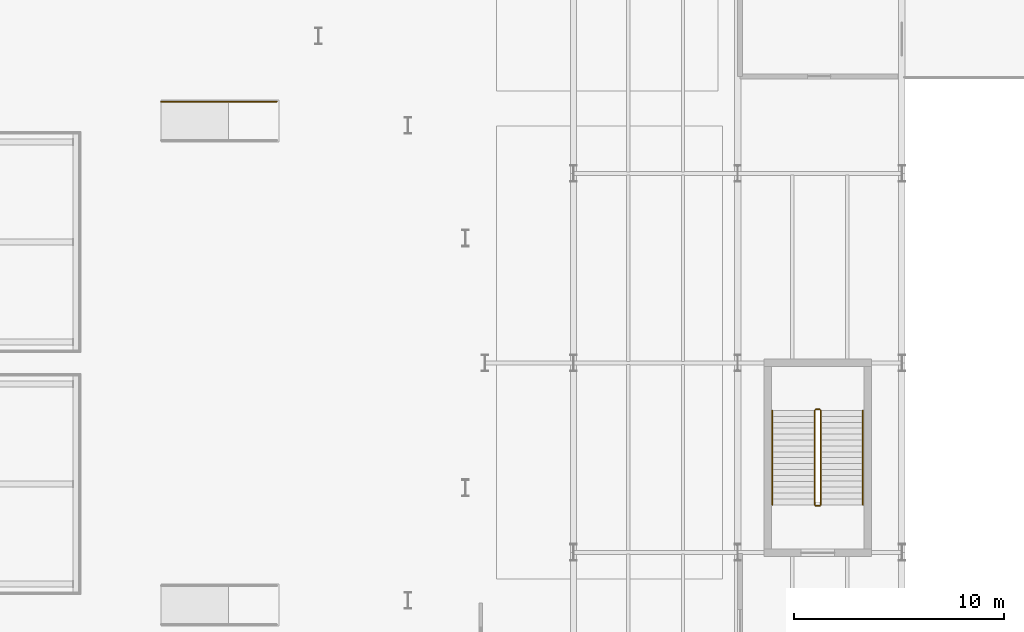
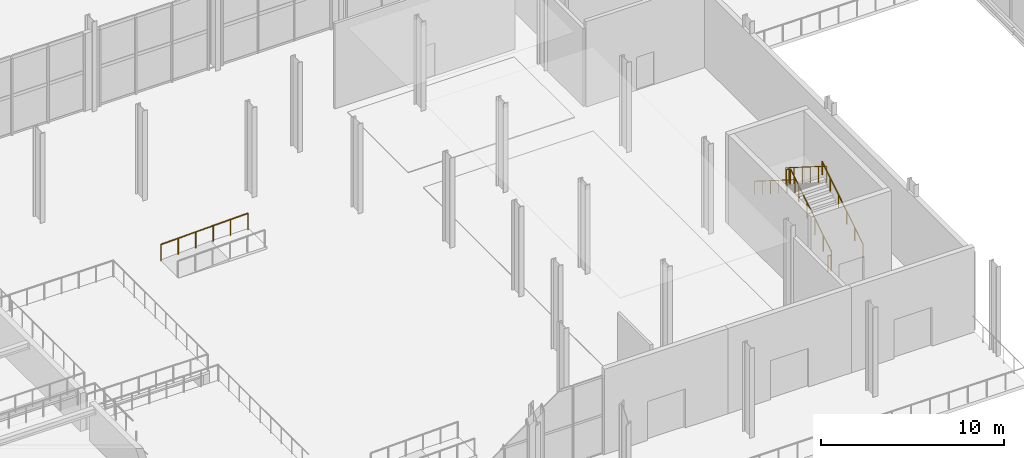
# One storey, part 70 of 84: 7 railings, 1 element without a shape of its own.
"""IFC4 building model written with IfcOpenShell, lengths in metres."""

from ifc_helpers import new_model, si_unit, direction, frame, origin, origin_2d, place, context, subcontext, project, spatial, circle, extrude, material, type_object, element, aggregate, save


model = new_model("IFC4")

# Units and contexts
model_context = context("Model", 3, precision=1e-05, world=origin(), true_north=direction((0.0, 1.0)))
body_context = subcontext(model_context, "Body", "Model", "MODEL_VIEW")
ifc_project = project(units=[si_unit("LENGTHUNIT", "METRE"), si_unit("AREAUNIT", "SQUARE_METRE"), si_unit("VOLUMEUNIT", "CUBIC_METRE"), si_unit("PLANEANGLEUNIT", "RADIAN"), si_unit("MASSUNIT", "GRAM", prefix="KILO")], contexts=[model_context])

# Site, building, storey
site_placement = place(None, origin())
site = spatial("IfcSite", under=ifc_project, at=site_placement, CompositionType="ELEMENT")
building_placement = place(site_placement, origin())
building = spatial("IfcBuilding", under=site, at=building_placement, Name="Sefraquen Railside Congress Hotel", CompositionType="ELEMENT")
storey_placement = place(building_placement, origin())
storey = spatial("IfcBuildingStorey", under=building, at=storey_placement, Name="L00", CompositionType="ELEMENT", Elevation=0.0)

# Ramp, railing
ifc_material_1 = material(Name="Concrete C40/50", Category="concrete")
ramp_type = type_object("IfcRampType", Name="TRP-PED-01", PredefinedType="STRAIGHT_RUN_RAMP", material=ifc_material_1)
ramp_placement = place(storey_placement, origin())
ramp = element("IfcRamp", 1, at=ramp_placement, inside=storey, type_object=ramp_type, Name="Accessible 1:20 interior dais ramp RMP-L00-PED-02", PredefinedType="STRAIGHT_RUN_RAMP")
ifc_material_2 = material(Name="Patinated wrought architectural bronze", Category="metal")
railing_type_1 = type_object("IfcRailingType", Name="TRL-BAL-110", PredefinedType="BALUSTRADE", material=ifc_material_2)
railing_1_placement = place(storey_placement, frame((68.0, 39.419921875, 0.0)))
railing_1 = element("IfcRailing", 2, at=railing_1_placement, type_object=railing_type_1, Name="Accessible ramp guard RMP-L00-PED-02-HR2", PredefinedType="BALUSTRADE", context=body_context, shape_type="SweptSolid", body=[
    extrude(circle(Radius=0.02392578125, at=origin_2d()), frame((0.0, 0.0, 1.09619140625), z_axis=(0.999577592046, 0.0, 0.029062647496), x_axis=(0.0, 1.0, 0.0)), (0.0, 0.0, 1.0), 5.50244140625),
    extrude(circle(Radius=0.02099609375, at=origin_2d()), origin(), (0.0, 0.0, 1.0), 1.072021484375),
    extrude(circle(Radius=0.02099609375, at=origin_2d()), frame((1.10009765625, 0.0, 0.031982421875)), (0.0, 0.0, 1.0), 1.072021484375),
    extrude(circle(Radius=0.02099609375, at=origin_2d()), frame((2.199951171875, 0.0, 0.06396484375)), (0.0, 0.0, 1.0), 1.072021484375),
    extrude(circle(Radius=0.02099609375, at=origin_2d()), frame((3.300048828125, 0.0, 0.095947265625)), (0.0, 0.0, 1.0), 1.072021484375),
    extrude(circle(Radius=0.02099609375, at=origin_2d()), frame((4.39990234375, 0.0, 0.1279296875)), (0.0, 0.0, 1.0), 1.072021484375),
    extrude(circle(Radius=0.02099609375, at=origin_2d()), frame((5.5, 0.0, 0.159912109375)), (0.0, 0.0, 1.0), 1.072021484375),
])
aggregate(ramp, [railing_1])

# Railings
railing_2_placement = place(storey_placement, frame((99.35009765625, 20.260009765625, 0.176513671875)))
element("IfcRailing", 3, at=railing_2_placement, inside=storey, type_object=railing_type_1, Name="L00 ST-C03 stair guard 1", PredefinedType="BALUSTRADE", context=body_context, shape_type="SweptSolid", body=[
    extrude(circle(Radius=0.02392578125, at=origin_2d()), frame((0.0, 0.0, 1.076171875), z_axis=(0.0, 0.845997938375, 0.533186166611), x_axis=(-1.0, 0.0, 0.0)), (0.0, 0.0, 1.0), 5.29541015625),
    extrude(circle(Radius=0.02099609375, at=origin_2d()), origin(), (0.0, 0.0, 1.0), 1.052001953125),
    extrude(circle(Radius=0.02099609375, at=origin_2d()), frame((0.0, 0.89599609375, 0.564697265625)), (0.0, 0.0, 1.0), 1.052001953125),
    extrude(circle(Radius=0.02099609375, at=origin_2d()), frame((0.0, 1.7919921875, 1.12939453125)), (0.0, 0.0, 1.0), 1.052001953125),
    extrude(circle(Radius=0.02099609375, at=origin_2d()), frame((0.0, 2.68798828125, 1.694091796875)), (0.0, 0.0, 1.0), 1.052001953125),
    extrude(circle(Radius=0.02099609375, at=origin_2d()), frame((0.0, 3.583984375, 2.2587890625)), (0.0, 0.0, 1.0), 1.052001953125),
    extrude(circle(Radius=0.02099609375, at=origin_2d()), frame((0.0, 4.47998046875, 2.823486328125)), (0.0, 0.0, 1.0), 1.052001953125),
])
railing_3_placement = place(storey_placement, frame((99.300048828125, 24.7900390625, 3.0)))
element("IfcRailing", 4, at=railing_3_placement, inside=storey, type_object=railing_type_1, Name="L00 ST-C03 stair guard 2", PredefinedType="BALUSTRADE", context=body_context, shape_type="SweptSolid", body=[
    extrude(circle(Radius=0.02392578125, at=origin_2d()), frame((0.0, 0.0, 1.076171875), z_axis=(-1.0, 0.0, 0.0), x_axis=(0.0, -1.0, 0.0)), (0.0, 0.0, 1.0), 0.199951171875),
    extrude(circle(Radius=0.02099609375, at=origin_2d()), origin(), (0.0, 0.0, 1.0), 1.052001953125),
    extrude(circle(Radius=0.02099609375, at=origin_2d()), frame((-0.199951171875, 0.0, 0.0)), (0.0, 0.0, 1.0), 1.052001953125),
])
railing_4_placement = place(storey_placement, frame((99.050048828125, 24.739990234375, 3.176513671875)))
element("IfcRailing", 5, at=railing_4_placement, inside=storey, type_object=railing_type_1, Name="L00 ST-C03 stair guard 3", PredefinedType="BALUSTRADE", context=body_context, shape_type="SweptSolid", body=[
    extrude(circle(Radius=0.02392578125, at=origin_2d()), frame((0.0, 0.0, 1.076171875), z_axis=(0.0, -0.845997938375, 0.533186166611), x_axis=(1.0, 0.0, 0.0)), (0.0, 0.0, 1.0), 5.29541015625),
    extrude(circle(Radius=0.02099609375, at=origin_2d()), origin(), (0.0, 0.0, 1.0), 1.052001953125),
    extrude(circle(Radius=0.02099609375, at=origin_2d()), frame((0.0, -0.89599609375, 0.564697265625)), (0.0, 0.0, 1.0), 1.052001953125),
    extrude(circle(Radius=0.02099609375, at=origin_2d()), frame((0.0, -1.7919921875, 1.12939453125)), (0.0, 0.0, 1.0), 1.052001953125),
    extrude(circle(Radius=0.02099609375, at=origin_2d()), frame((0.0, -2.68798828125, 1.694091796875)), (0.0, 0.0, 1.0), 1.052001953125),
    extrude(circle(Radius=0.02099609375, at=origin_2d()), frame((0.0, -3.583984375, 2.2587890625)), (0.0, 0.0, 1.0), 1.052001953125),
    extrude(circle(Radius=0.02099609375, at=origin_2d()), frame((0.0, -4.47998046875, 2.823486328125)), (0.0, 0.0, 1.0), 1.052001953125),
])
railing_5_placement = place(storey_placement, frame((99.300048828125, 20.2099609375, 0.0)))
element("IfcRailing", 6, at=railing_5_placement, inside=storey, type_object=railing_type_1, Name="L00 ST-C03 stair guard 4", PredefinedType="BALUSTRADE", context=body_context, shape_type="SweptSolid", body=[
    extrude(circle(Radius=0.02392578125, at=origin_2d()), frame((0.0, 0.0, 1.076171875), z_axis=(-1.0, 0.0, 0.0), x_axis=(0.0, -1.0, 0.0)), (0.0, 0.0, 1.0), 0.199951171875),
    extrude(circle(Radius=0.02099609375, at=origin_2d()), origin(), (0.0, 0.0, 1.0), 1.052001953125),
    extrude(circle(Radius=0.02099609375, at=origin_2d()), frame((-0.199951171875, 0.0, 0.0)), (0.0, 0.0, 1.0), 1.052001953125),
])
railing_type_2 = type_object("IfcRailingType", Name="TRL-HR-090", PredefinedType="HANDRAIL", material=ifc_material_2)
railing_6_placement = place(storey_placement, frame((101.35009765625, 20.260009765625, 0.176513671875)))
element("IfcRailing", 7, at=railing_6_placement, inside=storey, type_object=railing_type_2, Name="L00 ST-C03 stair handrail 1", PredefinedType="HANDRAIL", context=body_context, shape_type="SweptSolid", body=[
    extrude(circle(Radius=0.02392578125, at=origin_2d()), frame((0.0, 0.0, 0.8759765625), z_axis=(0.0, 0.845997938375, 0.533186166611), x_axis=(-1.0, 0.0, 0.0)), (0.0, 0.0, 1.0), 5.29541015625),
    extrude(circle(Radius=0.02099609375, at=origin_2d()), origin(), (0.0, 0.0, 1.0), 0.851806640625),
    extrude(circle(Radius=0.02099609375, at=origin_2d()), frame((0.0, 0.89599609375, 0.564697265625)), (0.0, 0.0, 1.0), 0.851806640625),
    extrude(circle(Radius=0.02099609375, at=origin_2d()), frame((0.0, 1.7919921875, 1.12939453125)), (0.0, 0.0, 1.0), 0.851806640625),
    extrude(circle(Radius=0.02099609375, at=origin_2d()), frame((0.0, 2.68798828125, 1.694091796875)), (0.0, 0.0, 1.0), 0.851806640625),
    extrude(circle(Radius=0.02099609375, at=origin_2d()), frame((0.0, 3.583984375, 2.2587890625)), (0.0, 0.0, 1.0), 0.851806640625),
    extrude(circle(Radius=0.02099609375, at=origin_2d()), frame((0.0, 4.47998046875, 2.823486328125)), (0.0, 0.0, 1.0), 0.851806640625),
])
railing_7_placement = place(storey_placement, frame((97.050048828125, 24.739990234375, 3.176513671875)))
element("IfcRailing", 8, at=railing_7_placement, inside=storey, type_object=railing_type_2, Name="L00 ST-C03 stair handrail 2", PredefinedType="HANDRAIL", context=body_context, shape_type="SweptSolid", body=[
    extrude(circle(Radius=0.02392578125, at=origin_2d()), frame((0.0, 0.0, 0.8759765625), z_axis=(0.0, -0.845997938375, 0.533186166611), x_axis=(1.0, 0.0, 0.0)), (0.0, 0.0, 1.0), 5.29541015625),
    extrude(circle(Radius=0.02099609375, at=origin_2d()), origin(), (0.0, 0.0, 1.0), 0.851806640625),
    extrude(circle(Radius=0.02099609375, at=origin_2d()), frame((0.0, -0.89599609375, 0.564697265625)), (0.0, 0.0, 1.0), 0.851806640625),
    extrude(circle(Radius=0.02099609375, at=origin_2d()), frame((0.0, -1.7919921875, 1.12939453125)), (0.0, 0.0, 1.0), 0.851806640625),
    extrude(circle(Radius=0.02099609375, at=origin_2d()), frame((0.0, -2.68798828125, 1.694091796875)), (0.0, 0.0, 1.0), 0.851806640625),
    extrude(circle(Radius=0.02099609375, at=origin_2d()), frame((0.0, -3.583984375, 2.2587890625)), (0.0, 0.0, 1.0), 0.851806640625),
    extrude(circle(Radius=0.02099609375, at=origin_2d()), frame((0.0, -4.47998046875, 2.823486328125)), (0.0, 0.0, 1.0), 0.851806640625),
])

save(model, "model.ifc")
